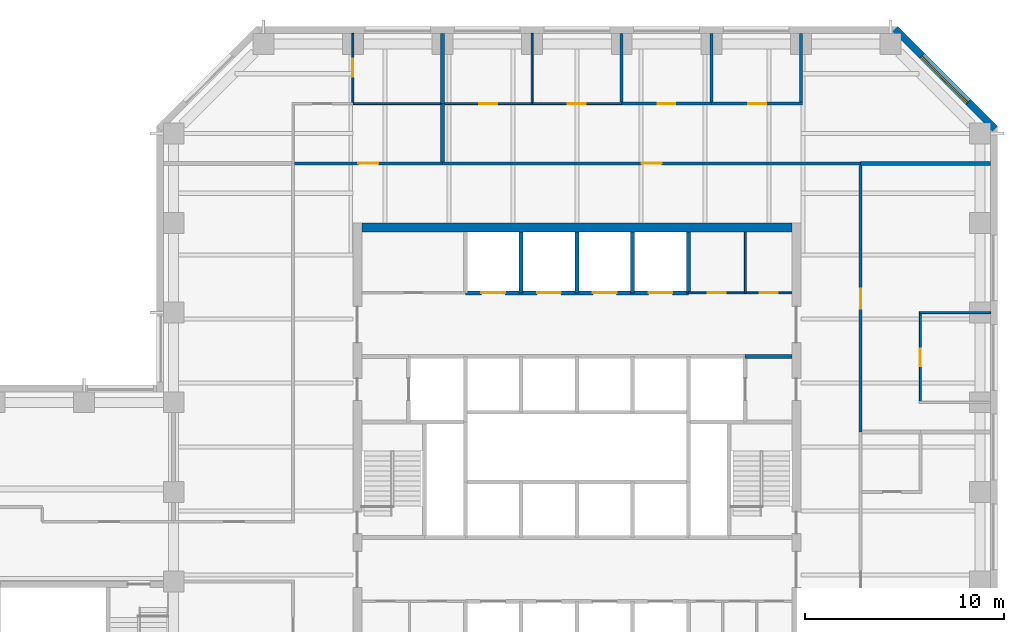
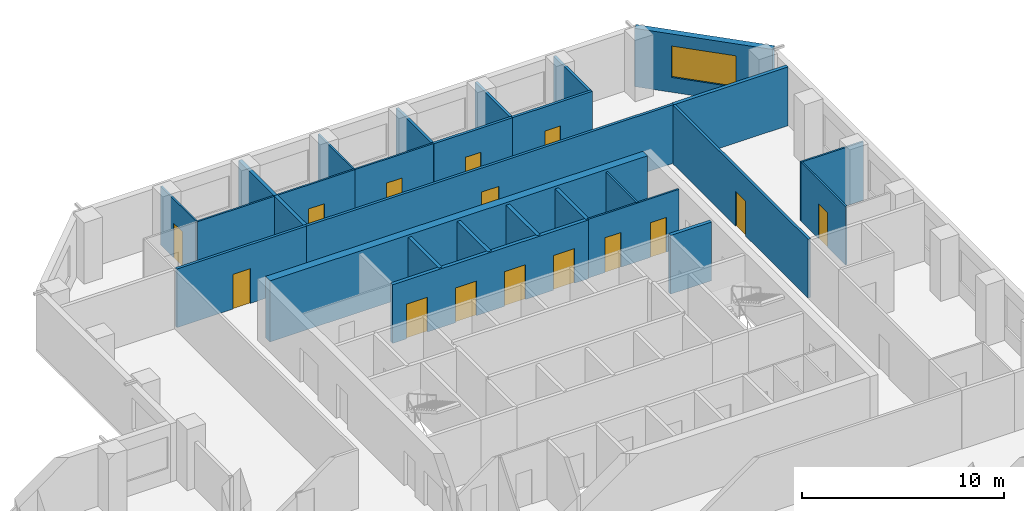
# One storey, part 8 of 11: 28 walls, 15 doors, 1 window, 16 openings.
"""IFC4 building model written with IfcOpenShell, lengths in metres."""

from ifc_helpers import new_model, si_unit, direction, frame, frame_2d, origin, place, context, subcontext, project, spatial, rectangle, extrude, material, layer, layer_set, constituent, constituent_set, type_object, element, fill, save


model = new_model("IFC4")

# Units and contexts
model_context = context("Model", 3, precision=1e-05, world=origin(), true_north=direction((0.0, 1.0)))
body_context = subcontext(model_context, "Body", "Model", "MODEL_VIEW")
ifc_project = project(units=[si_unit("LENGTHUNIT", "METRE"), si_unit("AREAUNIT", "SQUARE_METRE"), si_unit("VOLUMEUNIT", "CUBIC_METRE"), si_unit("PLANEANGLEUNIT", "RADIAN"), si_unit("MASSUNIT", "GRAM", prefix="KILO")], contexts=[model_context])

# Site, building, storey
site_placement = place(None, origin())
site = spatial("IfcSite", under=ifc_project, at=site_placement, CompositionType="ELEMENT")
building_placement = place(site_placement, origin())
building = spatial("IfcBuilding", under=site, at=building_placement, Name="Quoin Convention Tower", CompositionType="ELEMENT")
storey_placement = place(building_placement, frame((0.0, 0.0, 93.699951171875)))
storey = spatial("IfcBuildingStorey", under=building, at=storey_placement, Name="L24", CompositionType="ELEMENT", Elevation=93.699951171875)

# Wall, opening, door
ifc_material_1 = material(Name="Plasterboard")
ifc_layer_1 = layer(ifc_material_1, 0.012451171875, Name="Finish")
ifc_material_2 = material(Name="Steel stud framing", Category="steel")
ifc_layer_2 = layer(ifc_material_2, 0.125, Name="Structure")
ifc_layer_3 = layer(ifc_material_1, 0.012451171875, Name="Finish")
ifc_layer_set_1 = layer_set([ifc_layer_1, ifc_layer_2, ifc_layer_3], Name="Steel stud framing")
wall_type_1 = type_object("IfcWallType", Name="Acoustic partition 150", PredefinedType="PARTITIONING", material=ifc_layer_set_1)
wall_1_placement = place(storey_placement, frame((58.5, 78.0, 0.0), z_axis=(0.0, 0.0, 1.0), x_axis=(1.0, 0.0, 0.0)))
wall_1 = element("IfcWall", 1, at=wall_1_placement, inside=storey, type_object=wall_type_1, Name="pw-L24-047", PredefinedType="PARTITIONING", context=body_context, shape_type="SweptSolid", body=[
    extrude(rectangle(XDim=4.5, YDim=0.14990234375, at=frame_2d((2.25, 0.0))), origin(), (0.0, 0.0, 1.0), 3.550048828125),
])
opening_1_placement = place(wall_1_placement, frame((1.800048828125, 0.0, 0.0)))
opening_1 = element("IfcOpeningElement", 2, at=opening_1_placement, cuts=wall_1, Name="Opening DOL3-21", PredefinedType="OPENING", context=body_context, shape_type="SweptSolid", body=[
    extrude(rectangle(XDim=0.89990234375, YDim=2.10009765625, at=frame_2d((0.449951171875, 1.050048828125))), frame((0.0, 0.0849609375, 0.0), z_axis=(0.0, -1.0, 0.0), x_axis=(1.0, 0.0, 0.0)), (0.0, 0.0, 1.0), 0.169921875),
])
ifc_material_3 = material(Name="Steel door leaf", Category="steel")
door_type_1 = type_object("IfcDoorType", Name="Office door 900 x 2100", OperationType="SINGLE_SWING_RIGHT", PredefinedType="DOOR", material=ifc_material_3)
door_1_placement = place(opening_1_placement, frame((0.89990234375, 0.0, 0.0), z_axis=(0.0, 0.0, 1.0), x_axis=(-1.0, 0.0, 0.0)))
door_1 = element("IfcDoor", 3, at=door_1_placement, inside=storey, type_object=door_type_1, Name="dr-L24-28", OperationType="SINGLE_SWING_LEFT", OverallHeight=2.10009765625, OverallWidth=0.89990234375, PredefinedType="DOOR", context=body_context, shape_type="SweptSolid", body=[
    extrude(rectangle(XDim=0.89990234375, YDim=2.10009765625, at=frame_2d((0.449951171875, 1.050048828125))), frame((0.0, 0.02490234375, 0.0), z_axis=(0.0, -1.0, 0.0), x_axis=(1.0, 0.0, 0.0)), (0.0, 0.0, 1.0), 0.050048828125),
])
fill(opening_1, door_1)

wall_2_placement = place(storey_placement, frame((63.0, 78.0, 0.0), z_axis=(0.0, 0.0, 1.0), x_axis=(1.0, 0.0, 0.0)))
wall_2 = element("IfcWall", 4, at=wall_2_placement, inside=storey, type_object=wall_type_1, Name="pw-L24-048", PredefinedType="PARTITIONING", context=body_context, shape_type="SweptSolid", body=[
    extrude(rectangle(XDim=4.574951171875, YDim=0.14990234375, at=frame_2d((2.28759765625, 0.0))), origin(), (0.0, 0.0, 1.0), 3.550048828125),
])
opening_2_placement = place(wall_2_placement, frame((1.85009765625, 0.0, 0.0)))
opening_2 = element("IfcOpeningElement", 5, at=opening_2_placement, cuts=wall_2, Name="Opening DOL3-22", PredefinedType="OPENING", context=body_context, shape_type="SweptSolid", body=[
    extrude(rectangle(XDim=0.89990234375, YDim=2.10009765625, at=frame_2d((0.449951171875, 1.050048828125))), frame((0.0, 0.0849609375, 0.0), z_axis=(0.0, -1.0, 0.0), x_axis=(1.0, 0.0, 0.0)), (0.0, 0.0, 1.0), 0.169921875),
])
door_2_placement = place(opening_2_placement, frame((0.89990234375, 0.0, 0.0), z_axis=(0.0, 0.0, 1.0), x_axis=(-1.0, 0.0, 0.0)))
door_2 = element("IfcDoor", 6, at=door_2_placement, inside=storey, type_object=door_type_1, Name="dr-L24-29", OperationType="SINGLE_SWING_LEFT", OverallHeight=2.10009765625, OverallWidth=0.89990234375, PredefinedType="DOOR", context=body_context, shape_type="SweptSolid", body=[
    extrude(rectangle(XDim=0.89990234375, YDim=2.10009765625, at=frame_2d((0.449951171875, 1.050048828125))), frame((0.0, 0.02490234375, 0.0), z_axis=(0.0, -1.0, 0.0), x_axis=(1.0, 0.0, 0.0)), (0.0, 0.0, 1.0), 0.050048828125),
])
fill(opening_2, door_2)

# Walls
for number, where, z_axis, x_axis, name in (
    (7, (58.5, 78.074951171875, 0.0), (0.0, 0.0, 1.0), (0.0, 1.0, 0.0), "pw-L24-088"),
    (8, (63.0, 78.074951171875, 0.0), (0.0, 0.0, 1.0), (0.0, 1.0, 0.0), "pw-L24-089"),
    (9, (67.5, 78.074951171875, 0.0), (0.0, 0.0, 1.0), (0.0, 1.0, 0.0), "pw-L24-090"),
):
    element("IfcWall", number, at=place(storey_placement, frame(where, z_axis=z_axis, x_axis=x_axis)), inside=storey, type_object=wall_type_1, Name=name, PredefinedType="PARTITIONING", context=body_context, shape_type="SweptSolid", body=[
        extrude(rectangle(XDim=3.449951171875, YDim=0.14990234375, at=frame_2d((1.72509765625, 0.0))), origin(), (0.0, 0.0, 1.0), 3.550048828125),
    ])

# Wall, opening, window
ifc_material_4 = material(Name="Brick masonry", Category="masonry")
ifc_layer_4 = layer(ifc_material_4, 0.35009765625)
ifc_layer_set_2 = layer_set([ifc_layer_4], Name="Brick masonry")
wall_type_2 = type_object("IfcWallType", Name="Brick facade wall", PredefinedType="STANDARD", material=ifc_layer_set_2)
wall_3_placement = place(storey_placement, frame((77.251220703125, 76.73876953125, 0.0), z_axis=(0.0, 0.0, 1.0), x_axis=(-0.707106781187, 0.707106781187, 0.0)))
wall_3 = element("IfcWall", 10, at=wall_3_placement, inside=storey, type_object=wall_type_2, Name="fw-L24-76500_76500", PredefinedType="STANDARD", context=body_context, shape_type="SweptSolid", body=[
    extrude(rectangle(XDim=7.088623046875, YDim=0.35009765625, at=frame_2d((3.54443359375, 0.0))), origin(), (0.0, 0.0, 1.0), 3.525146484375),
])
opening_3_placement = place(wall_3_placement, frame((1.894287109375, 0.0, 0.89990234375)))
opening_3 = element("IfcOpeningElement", 11, at=opening_3_placement, cuts=wall_3, Name="Opening W-02", PredefinedType="OPENING", context=body_context, shape_type="SweptSolid", body=[
    extrude(rectangle(XDim=3.300048828125, YDim=1.89990234375, at=frame_2d((1.64990234375, 0.949951171875))), frame((0.0, 0.18505859375, 0.0), z_axis=(0.0, -1.0, 0.0), x_axis=(1.0, 0.0, 0.0)), (0.0, 0.0, 1.0), 0.3701171875),
])
ifc_material_5 = material(Name="Aluminium", Category="aluminium")
ifc_constituent_1 = constituent(ifc_material_5, Name="Frame")
ifc_material_6 = material(Name="Insulated glass", Category="glass")
ifc_constituent_2 = constituent(ifc_material_6, Name="Glazing")
ifc_constituent_set = constituent_set(constituents=[ifc_constituent_1, ifc_constituent_2], Name="Aluminium")
window_type = type_object("IfcWindowType", Name="Office window", PartitioningType="DOUBLE_PANEL_VERTICAL", PredefinedType="WINDOW", material=ifc_constituent_set)
window_placement = place(opening_3_placement, origin())
window = element("IfcWindow", 12, at=window_placement, inside=storey, type_object=window_type, Name="win-L24-74745_79245", OverallHeight=1.89990234375, OverallWidth=3.300048828125, PartitioningType="SINGLE_PANEL", PredefinedType="WINDOW", context=body_context, shape_type="SweptSolid", body=[
    extrude(rectangle(XDim=3.300048828125, YDim=1.89990234375, at=frame_2d((1.64990234375, 0.949951171875))), frame((0.0, 0.0849609375, 0.0), z_axis=(0.0, -1.0, 0.0), x_axis=(1.0, 0.0, 0.0)), (0.0, 0.0, 1.0), 0.06005859375),
])
fill(opening_3, window)

# Wall, openings, doors
ifc_layer_5 = layer(ifc_material_1, 0.012451171875, Name="Finish")
ifc_layer_6 = layer(ifc_material_2, 0.074951171875, Name="Structure")
ifc_layer_7 = layer(ifc_material_1, 0.012451171875, Name="Finish")
ifc_layer_set_3 = layer_set([ifc_layer_5, ifc_layer_6, ifc_layer_7], Name="Steel stud framing")
wall_type_3 = type_object("IfcWallType", Name="Core partition wall", PredefinedType="PARTITIONING", material=ifc_layer_set_3)
wall_4_placement = place(storey_placement, frame((61.85009765625, 68.5, 0.0), z_axis=(0.0, 0.0, 1.0), x_axis=(1.0, 0.0, 0.0)))
wall_4 = element("IfcWall", 13, at=wall_4_placement, inside=storey, type_object=wall_type_3, Name="cr-C1-L24-h19000_16850", PredefinedType="PARTITIONING", context=body_context, shape_type="SweptSolid", body=[
    extrude(rectangle(XDim=5.199951171875, YDim=0.10009765625, at=frame_2d((2.60009765625, 0.0))), origin(), (0.0, 0.0, 1.0), 3.550048828125),
])
opening_4_placement = place(wall_4_placement, frame((3.580078125, 0.0, 0.0)))
opening_4 = element("IfcOpeningElement", 14, at=opening_4_placement, cuts=wall_4, Name="Opening DCV2-04", PredefinedType="OPENING", context=body_context, shape_type="SweptSolid", body=[
    extrude(rectangle(XDim=0.89990234375, YDim=2.10009765625, at=frame_2d((0.449951171875, 1.050048828125))), frame((0.0, 0.06005859375, 0.0), z_axis=(0.0, -1.0, 0.0), x_axis=(1.0, 0.0, 0.0)), (0.0, 0.0, 1.0), 0.1201171875),
])
opening_5_placement = place(wall_4_placement, frame((0.97998046875, 0.0, 0.0)))
opening_5 = element("IfcOpeningElement", 15, at=opening_5_placement, cuts=wall_4, Name="Opening DCV2-02", PredefinedType="OPENING", context=body_context, shape_type="SweptSolid", body=[
    extrude(rectangle(XDim=0.89990234375, YDim=2.10009765625, at=frame_2d((0.449951171875, 1.050048828125))), frame((0.0, 0.06005859375, 0.0), z_axis=(0.0, -1.0, 0.0), x_axis=(1.0, 0.0, 0.0)), (0.0, 0.0, 1.0), 0.1201171875),
])
door_type_2 = type_object("IfcDoorType", Name="Core room door 900 x 2100", OperationType="SINGLE_SWING_LEFT", PredefinedType="DOOR", material=ifc_material_3)
door_3_placement = place(opening_4_placement, origin())
door_3 = element("IfcDoor", 16, at=door_3_placement, inside=storey, type_object=door_type_2, Name="cd-C1-L24-CNE0-lobB-CD2407", OperationType="SINGLE_SWING_RIGHT", OverallHeight=2.10009765625, OverallWidth=0.89990234375, PredefinedType="DOOR", context=body_context, shape_type="SweptSolid", body=[
    extrude(rectangle(XDim=0.89990234375, YDim=2.10009765625, at=frame_2d((0.449951171875, 1.050048828125))), frame((0.0, 0.02490234375, 0.0), z_axis=(0.0, -1.0, 0.0), x_axis=(1.0, 0.0, 0.0)), (0.0, 0.0, 1.0), 0.050048828125),
])
fill(opening_4, door_3)
door_4_placement = place(opening_5_placement, origin())
door_4 = element("IfcDoor", 17, at=door_4_placement, inside=storey, type_object=door_type_2, Name="cd-C1-L24-CNE1-lobB-CD2408", OperationType="SINGLE_SWING_RIGHT", OverallHeight=2.10009765625, OverallWidth=0.89990234375, PredefinedType="DOOR", context=body_context, shape_type="SweptSolid", body=[
    extrude(rectangle(XDim=0.89990234375, YDim=2.10009765625, at=frame_2d((0.449951171875, 1.050048828125))), frame((0.0, 0.02490234375, 0.0), z_axis=(0.0, -1.0, 0.0), x_axis=(1.0, 0.0, 0.0)), (0.0, 0.0, 1.0), 0.050048828125),
])
fill(opening_5, door_4)

# Walls
wall_5_placement = place(storey_placement, frame((64.7099609375, 68.5, 0.0), z_axis=(0.0, 0.0, 1.0), x_axis=(0.0, 1.0, 0.0)))
element("IfcWall", 18, at=wall_5_placement, inside=storey, type_object=wall_type_3, Name="cr-C1-L24-v19710_19000", PredefinedType="PARTITIONING", context=body_context, shape_type="SweptSolid", body=[
    extrude(rectangle(XDim=3.050048828125, YDim=0.10009765625, at=frame_2d((1.52490234375, 0.0))), origin(), (0.0, 0.0, 1.0), 3.550048828125),
])
ifc_material_7 = material(Name="Concrete C50", Category="concrete")
ifc_layer_8 = layer(ifc_material_7, 0.199951171875)
ifc_layer_set_4 = layer_set([ifc_layer_8], Name="Concrete C50")
wall_type_4 = type_object("IfcWallType", Name="Core shaft wall", PredefinedType="SOLIDWALL", material=ifc_layer_set_4)
wall_6_placement = place(storey_placement, frame((64.699951171875, 65.300048828125, 0.0), z_axis=(0.0, 0.0, 1.0), x_axis=(1.0, 0.0, 0.0)))
element("IfcWall", 19, at=wall_6_placement, inside=storey, type_object=wall_type_4, Name="cr-C1-L24-h15800_19700", PredefinedType="SOLIDWALL", context=body_context, shape_type="SweptSolid", body=[
    extrude(rectangle(XDim=2.35009765625, YDim=0.199951171875, at=frame_2d((1.175048828125, 0.0))), origin(), (0.0, 0.0, 1.0), 3.550048828125),
])

# Wall, openings, doors
wall_7_placement = place(storey_placement, frame((50.64990234375, 68.5, 0.0), z_axis=(0.0, 0.0, 1.0), x_axis=(1.0, 0.0, 0.0)))
wall_7 = element("IfcWall", 20, at=wall_7_placement, inside=storey, type_object=wall_type_4, Name="cr-C1-L24-h19000_5650", PredefinedType="SOLIDWALL", context=body_context, shape_type="SweptSolid", body=[
    extrude(rectangle(XDim=11.2001953125, YDim=0.199951171875, at=frame_2d((5.60009765625, 0.0))), origin(), (0.0, 0.0, 1.0), 3.550048828125),
])
opening_6_placement = place(wall_7_placement, frame((0.800048828125, 0.0, 0.0)))
opening_6 = element("IfcOpeningElement", 21, at=opening_6_placement, cuts=wall_7, Name="Opening LDL5", PredefinedType="OPENING", context=body_context, shape_type="SweptSolid", body=[
    extrude(rectangle(XDim=1.199951171875, YDim=2.10009765625, at=frame_2d((0.60009765625, 1.050048828125))), frame((0.0, 0.10986328125, 0.0), z_axis=(0.0, -1.0, 0.0), x_axis=(1.0, 0.0, 0.0)), (0.0, 0.0, 1.0), 0.219970703125),
])
opening_7_placement = place(wall_7_placement, frame((3.60009765625, 0.0, 0.0)))
opening_7 = element("IfcOpeningElement", 22, at=opening_7_placement, cuts=wall_7, Name="Opening LDL6", PredefinedType="OPENING", context=body_context, shape_type="SweptSolid", body=[
    extrude(rectangle(XDim=1.199951171875, YDim=2.10009765625, at=frame_2d((0.60009765625, 1.050048828125))), frame((0.0, 0.10986328125, 0.0), z_axis=(0.0, -1.0, 0.0), x_axis=(1.0, 0.0, 0.0)), (0.0, 0.0, 1.0), 0.219970703125),
])
opening_8_placement = place(wall_7_placement, frame((6.39990234375, 0.0, 0.0)))
opening_8 = element("IfcOpeningElement", 23, at=opening_8_placement, cuts=wall_7, Name="Opening LDL7", PredefinedType="OPENING", context=body_context, shape_type="SweptSolid", body=[
    extrude(rectangle(XDim=1.199951171875, YDim=2.10009765625, at=frame_2d((0.60009765625, 1.050048828125))), frame((0.0, 0.10986328125, 0.0), z_axis=(0.0, -1.0, 0.0), x_axis=(1.0, 0.0, 0.0)), (0.0, 0.0, 1.0), 0.219970703125),
])
opening_9_placement = place(wall_7_placement, frame((9.199951171875, 0.0, 0.0)))
opening_9 = element("IfcOpeningElement", 24, at=opening_9_placement, cuts=wall_7, Name="Opening LDL8", PredefinedType="OPENING", context=body_context, shape_type="SweptSolid", body=[
    extrude(rectangle(XDim=1.199951171875, YDim=2.10009765625, at=frame_2d((0.60009765625, 1.050048828125))), frame((0.0, 0.10986328125, 0.0), z_axis=(0.0, -1.0, 0.0), x_axis=(1.0, 0.0, 0.0)), (0.0, 0.0, 1.0), 0.219970703125),
])
door_type_3 = type_object("IfcDoorType", Name="Lift landing door 1200 x 2100", OperationType="DOUBLE_DOOR_SLIDING", PredefinedType="DOOR", material=ifc_material_3)
door_5_placement = place(opening_6_placement, origin())
door_5 = element("IfcDoor", 25, at=door_5_placement, inside=storey, type_object=door_type_3, Name="cd-C1-L24-R40-lobB-LDL5", OperationType="DOUBLE_DOOR_SLIDING", OverallHeight=2.10009765625, OverallWidth=1.199951171875, PredefinedType="DOOR", context=body_context, shape_type="SweptSolid", body=[
    extrude(rectangle(XDim=1.199951171875, YDim=2.10009765625, at=frame_2d((0.60009765625, 1.050048828125))), frame((0.0, 0.02490234375, 0.0), z_axis=(0.0, -1.0, 0.0), x_axis=(1.0, 0.0, 0.0)), (0.0, 0.0, 1.0), 0.050048828125),
])
fill(opening_6, door_5)
door_6_placement = place(opening_7_placement, origin())
door_6 = element("IfcDoor", 26, at=door_6_placement, inside=storey, type_object=door_type_3, Name="cd-C1-L24-R41-lobB-LDL6", OperationType="DOUBLE_DOOR_SLIDING", OverallHeight=2.10009765625, OverallWidth=1.199951171875, PredefinedType="DOOR", context=body_context, shape_type="SweptSolid", body=[
    extrude(rectangle(XDim=1.199951171875, YDim=2.10009765625, at=frame_2d((0.60009765625, 1.050048828125))), frame((0.0, 0.02490234375, 0.0), z_axis=(0.0, -1.0, 0.0), x_axis=(1.0, 0.0, 0.0)), (0.0, 0.0, 1.0), 0.050048828125),
])
fill(opening_7, door_6)
door_7_placement = place(opening_8_placement, origin())
door_7 = element("IfcDoor", 27, at=door_7_placement, inside=storey, type_object=door_type_3, Name="cd-C1-L24-R42-lobB-LDL7", OperationType="DOUBLE_DOOR_SLIDING", OverallHeight=2.10009765625, OverallWidth=1.199951171875, PredefinedType="DOOR", context=body_context, shape_type="SweptSolid", body=[
    extrude(rectangle(XDim=1.199951171875, YDim=2.10009765625, at=frame_2d((0.60009765625, 1.050048828125))), frame((0.0, 0.02490234375, 0.0), z_axis=(0.0, -1.0, 0.0), x_axis=(1.0, 0.0, 0.0)), (0.0, 0.0, 1.0), 0.050048828125),
])
fill(opening_8, door_7)
door_8_placement = place(opening_9_placement, origin())
door_8 = element("IfcDoor", 28, at=door_8_placement, inside=storey, type_object=door_type_3, Name="cd-C1-L24-R43-lobB-LDL8", OperationType="DOUBLE_DOOR_SLIDING", OverallHeight=2.10009765625, OverallWidth=1.199951171875, PredefinedType="DOOR", context=body_context, shape_type="SweptSolid", body=[
    extrude(rectangle(XDim=1.199951171875, YDim=2.10009765625, at=frame_2d((0.60009765625, 1.050048828125))), frame((0.0, 0.02490234375, 0.0), z_axis=(0.0, -1.0, 0.0), x_axis=(1.0, 0.0, 0.0)), (0.0, 0.0, 1.0), 0.050048828125),
])
fill(opening_9, door_8)

# Walls
for number, where, z_axis, x_axis, name in (
    (29, (53.449951171875, 68.5, 0.0), (0.0, 0.0, 1.0), (0.0, 1.0, 0.0), "cr-C1-L24-v8450_19000"),
    (30, (56.25, 68.5, 0.0), (0.0, 0.0, 1.0), (0.0, 1.0, 0.0), "cr-C1-L24-v11250_19000"),
    (31, (59.050048828125, 68.5, 0.0), (0.0, 0.0, 1.0), (0.0, 1.0, 0.0), "cr-C1-L24-v14050_19000"),
    (32, (61.85009765625, 68.5, 0.0), (0.0, 0.0, 1.0), (0.0, 1.0, 0.0), "cr-C1-L24-v16850_19000"),
):
    element("IfcWall", number, at=place(storey_placement, frame(where, z_axis=z_axis, x_axis=x_axis)), inside=storey, type_object=wall_type_4, Name=name, PredefinedType="SOLIDWALL", context=body_context, shape_type="SweptSolid", body=[
        extrude(rectangle(XDim=3.050048828125, YDim=0.199951171875, at=frame_2d((1.52490234375, 0.0))), origin(), (0.0, 0.0, 1.0), 3.550048828125),
    ])

# Wall, opening, door
ifc_layer_9 = layer(ifc_material_1, 0.012451171875, Name="Finish")
ifc_layer_10 = layer(ifc_material_2, 0.125, Name="Structure")
ifc_layer_11 = layer(ifc_material_1, 0.012451171875, Name="Finish")
ifc_layer_set_5 = layer_set([ifc_layer_9, ifc_layer_10, ifc_layer_11], Name="Steel stud framing")
wall_type_5 = type_object("IfcWallType", Name="Corridor wall 150", PredefinedType="PARTITIONING", material=ifc_layer_set_5)
wall_8_placement = place(storey_placement, frame((42.074951171875, 75.0, 0.0), z_axis=(0.0, 0.0, 1.0), x_axis=(1.0, 0.0, 0.0)))
wall_8 = element("IfcWall", 33, at=wall_8_placement, inside=storey, type_object=wall_type_5, Name="pw-L24-040", PredefinedType="PARTITIONING", context=body_context, shape_type="SweptSolid", body=[
    extrude(rectangle(XDim=7.425048828125, YDim=0.14990234375, at=frame_2d((3.71240234375, 0.0))), origin(), (0.0, 0.0, 1.0), 3.550048828125),
])
opening_10_placement = place(wall_8_placement, frame((3.199951171875, 0.0, 0.0)))
opening_10 = element("IfcOpeningElement", 34, at=opening_10_placement, cuts=wall_8, Name="Opening DOL3-16", PredefinedType="OPENING", context=body_context, shape_type="SweptSolid", body=[
    extrude(rectangle(XDim=1.0, YDim=2.10009765625, at=frame_2d((0.5, 1.050048828125))), frame((0.0, 0.0849609375, 0.0), z_axis=(0.0, -1.0, 0.0), x_axis=(1.0, 0.0, 0.0)), (0.0, 0.0, 1.0), 0.169921875),
])
door_type_4 = type_object("IfcDoorType", Name="Tenancy entrance door 1000 x 2100", OperationType="DOUBLE_DOOR_SINGLE_SWING", PredefinedType="DOOR", material=ifc_material_3)
door_9_placement = place(opening_10_placement, origin())
door_9 = element("IfcDoor", 35, at=door_9_placement, inside=storey, type_object=door_type_4, Name="dr-L24-22", OperationType="DOUBLE_DOOR_SINGLE_SWING", OverallHeight=2.10009765625, OverallWidth=1.0, PredefinedType="DOOR", context=body_context, shape_type="SweptSolid", body=[
    extrude(rectangle(XDim=1.0, YDim=2.10009765625, at=frame_2d((0.5, 1.050048828125))), frame((0.0, 0.02490234375, 0.0), z_axis=(0.0, -1.0, 0.0), x_axis=(1.0, 0.0, 0.0)), (0.0, 0.0, 1.0), 0.050048828125),
])
fill(opening_10, door_9)

wall_9_placement = place(storey_placement, frame((49.5, 75.0, 0.0), z_axis=(0.0, 0.0, 1.0), x_axis=(1.0, 0.0, 0.0)))
wall_9 = element("IfcWall", 36, at=wall_9_placement, inside=storey, type_object=wall_type_5, Name="pw-L24-041", PredefinedType="PARTITIONING", context=body_context, shape_type="SweptSolid", body=[
    extrude(rectangle(XDim=21.0, YDim=0.14990234375, at=frame_2d((10.5, 0.0))), origin(), (0.0, 0.0, 1.0), 3.550048828125),
])
opening_11_placement = place(wall_9_placement, frame((10.0, 0.0, 0.0)))
opening_11 = element("IfcOpeningElement", 37, at=opening_11_placement, cuts=wall_9, Name="Opening DOL3-17", PredefinedType="OPENING", context=body_context, shape_type="SweptSolid", body=[
    extrude(rectangle(XDim=1.0, YDim=2.10009765625, at=frame_2d((0.5, 1.050048828125))), frame((0.0, 0.0849609375, 0.0), z_axis=(0.0, -1.0, 0.0), x_axis=(1.0, 0.0, 0.0)), (0.0, 0.0, 1.0), 0.169921875),
])
door_10_placement = place(opening_11_placement, origin())
door_10 = element("IfcDoor", 38, at=door_10_placement, inside=storey, type_object=door_type_4, Name="dr-L24-25", OperationType="DOUBLE_DOOR_SINGLE_SWING", OverallHeight=2.10009765625, OverallWidth=1.0, PredefinedType="DOOR", context=body_context, shape_type="SweptSolid", body=[
    extrude(rectangle(XDim=1.0, YDim=2.10009765625, at=frame_2d((0.5, 1.050048828125))), frame((0.0, 0.02490234375, 0.0), z_axis=(0.0, -1.0, 0.0), x_axis=(1.0, 0.0, 0.0)), (0.0, 0.0, 1.0), 0.050048828125),
])
fill(opening_11, door_10)

wall_10_placement = place(storey_placement, frame((70.5, 61.5, 0.0), z_axis=(0.0, 0.0, 1.0), x_axis=(0.0, 1.0, 0.0)))
wall_10 = element("IfcWall", 39, at=wall_10_placement, inside=storey, type_object=wall_type_5, Name="pw-L24-081", PredefinedType="PARTITIONING", context=body_context, shape_type="SweptSolid", body=[
    extrude(rectangle(XDim=13.39990234375, YDim=0.14990234375, at=frame_2d((6.699951171875, 0.0))), origin(), (0.0, 0.0, 1.0), 3.550048828125),
])
opening_12_placement = place(wall_10_placement, frame((6.199951171875, 0.0, 0.0)))
opening_12 = element("IfcOpeningElement", 40, at=opening_12_placement, cuts=wall_10, Name="Opening DOL3-28", PredefinedType="OPENING", context=body_context, shape_type="SweptSolid", body=[
    extrude(rectangle(XDim=1.0, YDim=2.10009765625, at=frame_2d((0.5, 1.050048828125))), frame((0.0, 0.0849609375, 0.0), z_axis=(0.0, -1.0, 0.0), x_axis=(1.0, 0.0, 0.0)), (0.0, 0.0, 1.0), 0.169921875),
])
door_11_placement = place(opening_12_placement, frame((1.0, 0.0, 0.0), z_axis=(0.0, 0.0, 1.0), x_axis=(-1.0, 0.0, 0.0)))
door_11 = element("IfcDoor", 41, at=door_11_placement, inside=storey, type_object=door_type_4, Name="dr-L24-20", OperationType="DOUBLE_DOOR_SINGLE_SWING", OverallHeight=2.10009765625, OverallWidth=1.0, PredefinedType="DOOR", context=body_context, shape_type="SweptSolid", body=[
    extrude(rectangle(XDim=1.0, YDim=2.10009765625, at=frame_2d((0.5, 1.050048828125))), frame((0.0, 0.02490234375, 0.0), z_axis=(0.0, -1.0, 0.0), x_axis=(1.0, 0.0, 0.0)), (0.0, 0.0, 1.0), 0.050048828125),
])
fill(opening_12, door_11)

# Walls
ifc_material_8 = material(Name="Concrete C65", Category="concrete")
ifc_layer_12 = layer(ifc_material_8, 0.449951171875)
ifc_layer_set_6 = layer_set([ifc_layer_12], Name="Concrete C65")
wall_type_6 = type_object("IfcWallType", Name="RC CORE WALL 450 C65", PredefinedType="SHEAR", material=ifc_layer_set_6)
wall_11_placement = place(storey_placement, frame((45.449951171875, 71.77490234375, 0.0), z_axis=(0.0, 0.0, 1.0), x_axis=(1.0, 0.0, 0.0)))
element("IfcWall", 42, at=wall_11_placement, inside=storey, type_object=wall_type_6, Name="cwl-C1-L24-N", PredefinedType="SHEAR", context=body_context, shape_type="SweptSolid", body=[
    extrude(rectangle(XDim=21.60009765625, YDim=0.449951171875, at=frame_2d((10.800048828125, 0.0))), origin(), (0.0, 0.0, 1.0), 3.699951171875),
])
ifc_layer_13 = layer(ifc_material_1, 0.012451171875, Name="Finish")
ifc_layer_14 = layer(ifc_material_2, 0.074951171875, Name="Structure")
ifc_layer_15 = layer(ifc_material_1, 0.012451171875, Name="Finish")
ifc_layer_set_7 = layer_set([ifc_layer_13, ifc_layer_14, ifc_layer_15], Name="Steel stud framing")
wall_type_7 = type_object("IfcWallType", Name="Stud partition 100", PredefinedType="PARTITIONING", material=ifc_layer_set_7)
wall_12_placement = place(storey_placement, frame((73.449951171875, 67.5, 0.0), z_axis=(0.0, 0.0, 1.0), x_axis=(1.0, 0.0, 0.0)))
element("IfcWall", 43, at=wall_12_placement, inside=storey, type_object=wall_type_7, Name="pw-L24-038", PredefinedType="PARTITIONING", context=body_context, shape_type="SweptSolid", body=[
    extrude(rectangle(XDim=3.574951171875, YDim=0.10009765625, at=frame_2d((1.78759765625, 0.0))), origin(), (0.0, 0.0, 1.0), 3.550048828125),
])
wall_13_placement = place(storey_placement, frame((45.0, 78.0, 0.0), z_axis=(0.0, 0.0, 1.0), x_axis=(1.0, 0.0, 0.0)))
element("IfcWall", 44, at=wall_13_placement, inside=storey, type_object=wall_type_7, Name="pw-L24-044", PredefinedType="PARTITIONING", context=body_context, shape_type="SweptSolid", body=[
    extrude(rectangle(XDim=4.39990234375, YDim=0.10009765625, at=frame_2d((2.199951171875, 0.0))), origin(), (0.0, 0.0, 1.0), 3.550048828125),
])

# Wall, opening, door
wall_14_placement = place(storey_placement, frame((49.60009765625, 78.0, 0.0), z_axis=(0.0, 0.0, 1.0), x_axis=(1.0, 0.0, 0.0)))
wall_14 = element("IfcWall", 45, at=wall_14_placement, inside=storey, type_object=wall_type_7, Name="pw-L24-045", PredefinedType="PARTITIONING", context=body_context, shape_type="SweptSolid", body=[
    extrude(rectangle(XDim=4.39990234375, YDim=0.10009765625, at=frame_2d((2.199951171875, 0.0))), origin(), (0.0, 0.0, 1.0), 3.550048828125),
])
opening_13_placement = place(wall_14_placement, frame((1.75, 0.0, 0.0)))
opening_13 = element("IfcOpeningElement", 46, at=opening_13_placement, cuts=wall_14, Name="Opening DOL3-19", PredefinedType="OPENING", context=body_context, shape_type="SweptSolid", body=[
    extrude(rectangle(XDim=0.89990234375, YDim=2.10009765625, at=frame_2d((0.449951171875, 1.050048828125))), frame((0.0, 0.06005859375, 0.0), z_axis=(0.0, -1.0, 0.0), x_axis=(1.0, 0.0, 0.0)), (0.0, 0.0, 1.0), 0.1201171875),
])
door_12_placement = place(opening_13_placement, frame((0.89990234375, 0.0, 0.0), z_axis=(0.0, 0.0, 1.0), x_axis=(-1.0, 0.0, 0.0)))
door_12 = element("IfcDoor", 47, at=door_12_placement, inside=storey, type_object=door_type_1, Name="dr-L24-26", OperationType="SINGLE_SWING_LEFT", OverallHeight=2.10009765625, OverallWidth=0.89990234375, PredefinedType="DOOR", context=body_context, shape_type="SweptSolid", body=[
    extrude(rectangle(XDim=0.89990234375, YDim=2.10009765625, at=frame_2d((0.449951171875, 1.050048828125))), frame((0.0, 0.02490234375, 0.0), z_axis=(0.0, -1.0, 0.0), x_axis=(1.0, 0.0, 0.0)), (0.0, 0.0, 1.0), 0.050048828125),
])
fill(opening_13, door_12)

wall_15_placement = place(storey_placement, frame((54.0, 78.0, 0.0), z_axis=(0.0, 0.0, 1.0), x_axis=(1.0, 0.0, 0.0)))
wall_15 = element("IfcWall", 48, at=wall_15_placement, inside=storey, type_object=wall_type_7, Name="pw-L24-046", PredefinedType="PARTITIONING", context=body_context, shape_type="SweptSolid", body=[
    extrude(rectangle(XDim=4.5, YDim=0.10009765625, at=frame_2d((2.25, 0.0))), origin(), (0.0, 0.0, 1.0), 3.550048828125),
])
opening_14_placement = place(wall_15_placement, frame((1.800048828125, 0.0, 0.0)))
opening_14 = element("IfcOpeningElement", 49, at=opening_14_placement, cuts=wall_15, Name="Opening DOL3-20", PredefinedType="OPENING", context=body_context, shape_type="SweptSolid", body=[
    extrude(rectangle(XDim=0.89990234375, YDim=2.10009765625, at=frame_2d((0.449951171875, 1.050048828125))), frame((0.0, 0.06005859375, 0.0), z_axis=(0.0, -1.0, 0.0), x_axis=(1.0, 0.0, 0.0)), (0.0, 0.0, 1.0), 0.1201171875),
])
door_13_placement = place(opening_14_placement, frame((0.89990234375, 0.0, 0.0), z_axis=(0.0, 0.0, 1.0), x_axis=(-1.0, 0.0, 0.0)))
door_13 = element("IfcDoor", 50, at=door_13_placement, inside=storey, type_object=door_type_1, Name="dr-L24-27", OperationType="SINGLE_SWING_LEFT", OverallHeight=2.10009765625, OverallWidth=0.89990234375, PredefinedType="DOOR", context=body_context, shape_type="SweptSolid", body=[
    extrude(rectangle(XDim=0.89990234375, YDim=2.10009765625, at=frame_2d((0.449951171875, 1.050048828125))), frame((0.0, 0.02490234375, 0.0), z_axis=(0.0, -1.0, 0.0), x_axis=(1.0, 0.0, 0.0)), (0.0, 0.0, 1.0), 0.050048828125),
])
fill(opening_14, door_13)

wall_16_placement = place(storey_placement, frame((73.5, 63.050048828125, 0.0), z_axis=(0.0, 0.0, 1.0), x_axis=(0.0, 1.0, 0.0)))
wall_16 = element("IfcWall", 51, at=wall_16_placement, inside=storey, type_object=wall_type_7, Name="pw-L24-082", PredefinedType="PARTITIONING", context=body_context, shape_type="SweptSolid", body=[
    extrude(rectangle(XDim=4.39990234375, YDim=0.10009765625, at=frame_2d((2.199951171875, 0.0))), origin(), (0.0, 0.0, 1.0), 3.550048828125),
])
opening_15_placement = place(wall_16_placement, frame((1.75, 0.0, 0.0)))
opening_15 = element("IfcOpeningElement", 52, at=opening_15_placement, cuts=wall_16, Name="Opening DOL3-29", PredefinedType="OPENING", context=body_context, shape_type="SweptSolid", body=[
    extrude(rectangle(XDim=0.89990234375, YDim=2.10009765625, at=frame_2d((0.449951171875, 1.050048828125))), frame((0.0, 0.06005859375, 0.0), z_axis=(0.0, -1.0, 0.0), x_axis=(1.0, 0.0, 0.0)), (0.0, 0.0, 1.0), 0.1201171875),
])
door_14_placement = place(opening_15_placement, origin())
door_14 = element("IfcDoor", 53, at=door_14_placement, inside=storey, type_object=door_type_1, Name="dr-L24-21", OperationType="SINGLE_SWING_RIGHT", OverallHeight=2.10009765625, OverallWidth=0.89990234375, PredefinedType="DOOR", context=body_context, shape_type="SweptSolid", body=[
    extrude(rectangle(XDim=0.89990234375, YDim=2.10009765625, at=frame_2d((0.449951171875, 1.050048828125))), frame((0.0, 0.02490234375, 0.0), z_axis=(0.0, -1.0, 0.0), x_axis=(1.0, 0.0, 0.0)), (0.0, 0.0, 1.0), 0.050048828125),
])
fill(opening_15, door_14)

wall_17_placement = place(storey_placement, frame((45.0, 78.050048828125, 0.0), z_axis=(0.0, 0.0, 1.0), x_axis=(0.0, 1.0, 0.0)))
wall_17 = element("IfcWall", 54, at=wall_17_placement, inside=storey, type_object=wall_type_7, Name="pw-L24-086", PredefinedType="PARTITIONING", context=body_context, shape_type="SweptSolid", body=[
    extrude(rectangle(XDim=3.474853515625, YDim=0.10009765625, at=frame_2d((1.7373046875, 0.0))), origin(), (0.0, 0.0, 1.0), 3.550048828125),
])
opening_16_placement = place(wall_17_placement, frame((1.300048828125, 0.0, 0.0)))
opening_16 = element("IfcOpeningElement", 55, at=opening_16_placement, cuts=wall_17, Name="Opening DOL3-30", PredefinedType="OPENING", context=body_context, shape_type="SweptSolid", body=[
    extrude(rectangle(XDim=0.89990234375, YDim=2.10009765625, at=frame_2d((0.449951171875, 1.050048828125))), frame((0.0, 0.06005859375, 0.0), z_axis=(0.0, -1.0, 0.0), x_axis=(1.0, 0.0, 0.0)), (0.0, 0.0, 1.0), 0.1201171875),
])
door_15_placement = place(opening_16_placement, origin())
door_15 = element("IfcDoor", 56, at=door_15_placement, inside=storey, type_object=door_type_1, Name="dr-L24-24", OperationType="SINGLE_SWING_RIGHT", OverallHeight=2.10009765625, OverallWidth=0.89990234375, PredefinedType="DOOR", context=body_context, shape_type="SweptSolid", body=[
    extrude(rectangle(XDim=0.89990234375, YDim=2.10009765625, at=frame_2d((0.449951171875, 1.050048828125))), frame((0.0, 0.02490234375, 0.0), z_axis=(0.0, -1.0, 0.0), x_axis=(1.0, 0.0, 0.0)), (0.0, 0.0, 1.0), 0.050048828125),
])
fill(opening_16, door_15)

# Walls
wall_18_placement = place(storey_placement, frame((54.0, 78.050048828125, 0.0), z_axis=(0.0, 0.0, 1.0), x_axis=(0.0, 1.0, 0.0)))
element("IfcWall", 57, at=wall_18_placement, inside=storey, type_object=wall_type_7, Name="pw-L24-087", PredefinedType="PARTITIONING", context=body_context, shape_type="SweptSolid", body=[
    extrude(rectangle(XDim=3.474853515625, YDim=0.10009765625, at=frame_2d((1.7373046875, 0.0))), origin(), (0.0, 0.0, 1.0), 3.550048828125),
])
ifc_layer_16 = layer(ifc_material_1, 0.012451171875, Name="Finish")
ifc_layer_17 = layer(ifc_material_2, 0.175048828125, Name="Structure")
ifc_layer_18 = layer(ifc_material_1, 0.012451171875, Name="Finish")
ifc_layer_set_8 = layer_set([ifc_layer_16, ifc_layer_17, ifc_layer_18], Name="Steel stud framing")
wall_type_8 = type_object("IfcWallType", Name="Tenancy demising wall 200", PredefinedType="PARTITIONING", material=ifc_layer_set_8)
wall_19_placement = place(storey_placement, frame((70.5, 75.0, 0.0), z_axis=(0.0, 0.0, 1.0), x_axis=(1.0, 0.0, 0.0)))
element("IfcWall", 58, at=wall_19_placement, inside=storey, type_object=wall_type_8, Name="pw-L24-042", PredefinedType="PARTITIONING", context=body_context, shape_type="SweptSolid", body=[
    extrude(rectangle(XDim=6.52490234375, YDim=0.199951171875, at=frame_2d((3.262451171875, 0.0))), origin(), (0.0, 0.0, 1.0), 3.550048828125),
])
wall_20_placement = place(storey_placement, frame((49.5, 75.074951171875, 0.0), z_axis=(0.0, 0.0, 1.0), x_axis=(0.0, 1.0, 0.0)))
element("IfcWall", 59, at=wall_20_placement, inside=storey, type_object=wall_type_8, Name="pw-L24-084", PredefinedType="PARTITIONING", context=body_context, shape_type="SweptSolid", body=[
    extrude(rectangle(XDim=2.925048828125, YDim=0.199951171875, at=frame_2d((1.46240234375, 0.0))), origin(), (0.0, 0.0, 1.0), 3.550048828125),
])
wall_21_placement = place(storey_placement, frame((49.5, 78.0, 0.0), z_axis=(0.0, 0.0, 1.0), x_axis=(0.0, 1.0, 0.0)))
element("IfcWall", 60, at=wall_21_placement, inside=storey, type_object=wall_type_8, Name="pw-L24-085", PredefinedType="PARTITIONING", context=body_context, shape_type="SweptSolid", body=[
    extrude(rectangle(XDim=3.52490234375, YDim=0.199951171875, at=frame_2d((1.762451171875, 0.0))), origin(), (0.0, 0.0, 1.0), 3.550048828125),
])

save(model, "model.ifc")
